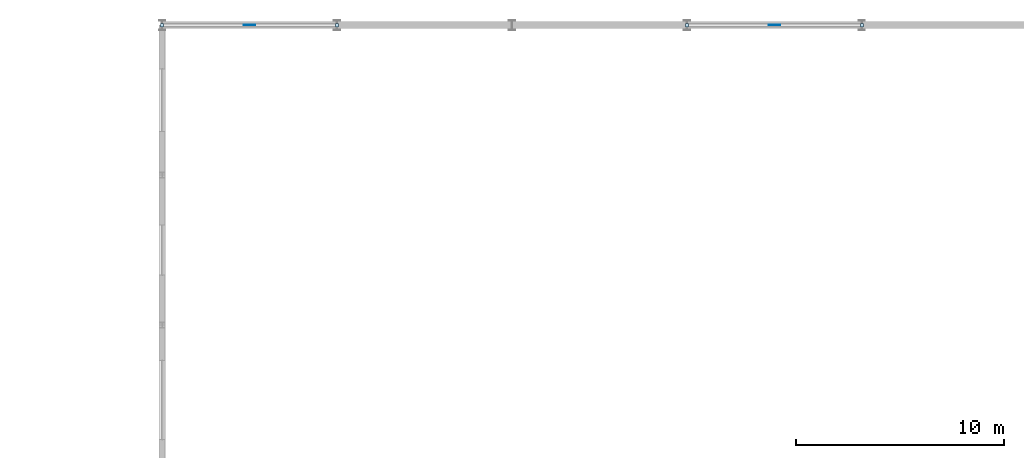
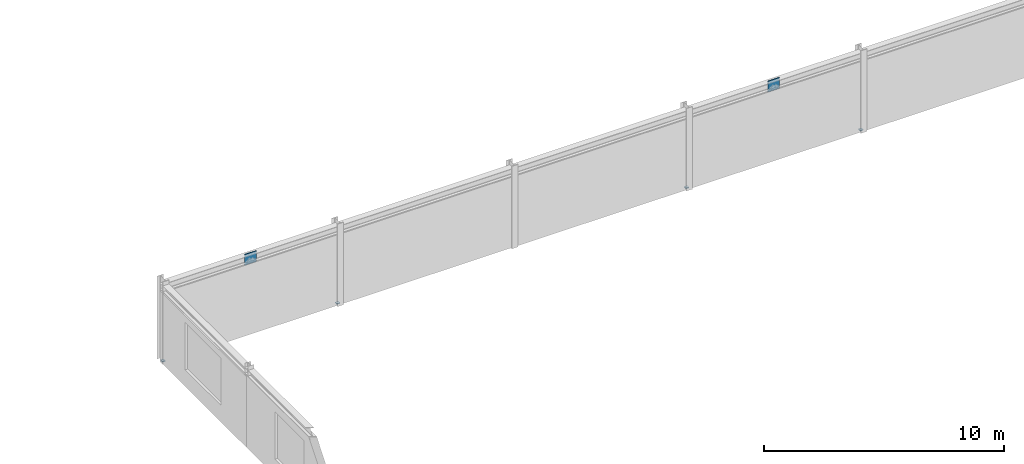
# One storey, part 58 of 73: 6 plates.
"""IFC4 building model written with IfcOpenShell, lengths in metres."""

from ifc_helpers import new_model, si_unit, derived_unit, direction, frame, origin, origin_2d, place, context, subcontext, project, spatial, rectangle, extrude, material, layer, layer_set, type_object, element, save


model = new_model("IFC4")

# Units and contexts
model_context = context("Model", 3, precision=1e-05, world=origin(), true_north=direction((0.0, 1.0)))
body_context = subcontext(model_context, "Body", "Model", "MODEL_VIEW")
ifc_project = project(units=[si_unit("LENGTHUNIT", "METRE"), si_unit("AREAUNIT", "SQUARE_METRE"), si_unit("VOLUMEUNIT", "CUBIC_METRE"), si_unit("PLANEANGLEUNIT", "RADIAN"), si_unit("MASSUNIT", "GRAM", prefix="KILO"), derived_unit("THERMALTRANSMITTANCEUNIT", [(si_unit("MASSUNIT", "GRAM", prefix="KILO"), 1), (si_unit("TIMEUNIT", "SECOND"), -3), (si_unit("THERMODYNAMICTEMPERATUREUNIT", "KELVIN"), -1)])], contexts=[model_context])

# Site, building, storey
site_placement = place(None, origin())
site = spatial("IfcSite", under=ifc_project, at=site_placement, CompositionType="ELEMENT")
building_placement = place(site_placement, origin())
building = spatial("IfcBuilding", under=site, at=building_placement, Name="Kharveza Railside Sports Centre", CompositionType="ELEMENT")
storey_placement = place(building_placement, frame((0.0, 0.0, 8.699951171875)))
storey = spatial("IfcBuildingStorey", under=building, at=storey_placement, Name="L02", CompositionType="ELEMENT", Elevation=8.699951171875)

# Plates
ifc_material = material(Name="Steel S355J2", Category="steel")
ifc_layer_1 = layer(ifc_material, 0.02001953125, Name="Steel S355J2")
ifc_layer_set_1 = layer_set([ifc_layer_1], Name="Steel S355J2")
plate_type_1 = type_object("IfcPlateType", Name="PL-EC11", PredefinedType="USERDEFINED", material=ifc_layer_set_1)
for number, where, z_axis, x_axis, name in (
    (1, (92.39990234375, 108.0, -0.010009765625), (0.0, 0.0, 1.0), (1.0, 0.0, 0.0), "PLT-EC-152"),
    (2, (100.800048828125, 108.0, -0.010009765625), (0.0, 0.0, 1.0), (1.0, 0.0, 0.0), "PLT-EC-153"),
    (3, (117.60009765625, 108.0, -0.010009765625), (0.0, 0.0, 1.0), (1.0, 0.0, 0.0), "PLT-EC-156"),
    (4, (126.0, 108.0, -0.010009765625), (0.0, 0.0, 1.0), (1.0, 0.0, 0.0), "PLT-EC-157"),
):
    element("IfcPlate", number, at=place(storey_placement, frame(where, z_axis=z_axis, x_axis=x_axis)), inside=storey, type_object=plate_type_1, Name=name, ObjectType="END_CAP_PLATE", PredefinedType="USERDEFINED", context=body_context, shape_type="SweptSolid", body=[
        extrude(rectangle(XDim=0.14990234375, YDim=0.14990234375, at=origin_2d()), origin(), (0.0, 0.0, 1.0), 0.02001953125),
    ])
ifc_layer_2 = layer(ifc_material, 0.028076171875, Name="Steel S355J2")
ifc_layer_set_2 = layer_set([ifc_layer_2], Name="Steel S355J2")
plate_type_2 = type_object("IfcPlateType", Name="PL-GS05", PredefinedType="USERDEFINED", material=ifc_layer_set_2)
for number, where, z_axis, x_axis, name in (
    (5, (96.60009765625, 108.0, 3.469970703125), (0.0, 0.0, 1.0), (1.0, 0.0, 0.0), "PLT-GS-CHEV-003"),
    (6, (121.800048828125, 108.0, 3.469970703125), (0.0, 0.0, 1.0), (1.0, 0.0, 0.0), "PLT-GS-CHEV-006"),
):
    element("IfcPlate", number, at=place(storey_placement, frame(where, z_axis=z_axis, x_axis=x_axis)), inside=storey, type_object=plate_type_2, Name=name, ObjectType="GUSSET_PLATE", PredefinedType="USERDEFINED", context=body_context, shape_type="SweptSolid", body=[
        extrude(rectangle(XDim=0.56005859375, YDim=0.028076171875, at=origin_2d()), origin(), (0.0, 0.0, 1.0), 0.56005859375),
    ])

save(model, "model.ifc")
